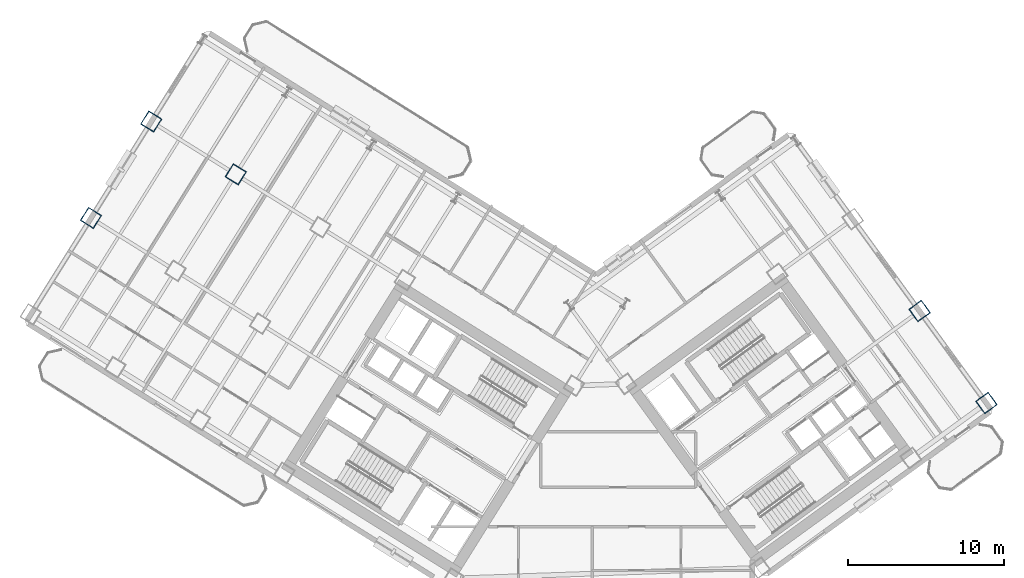
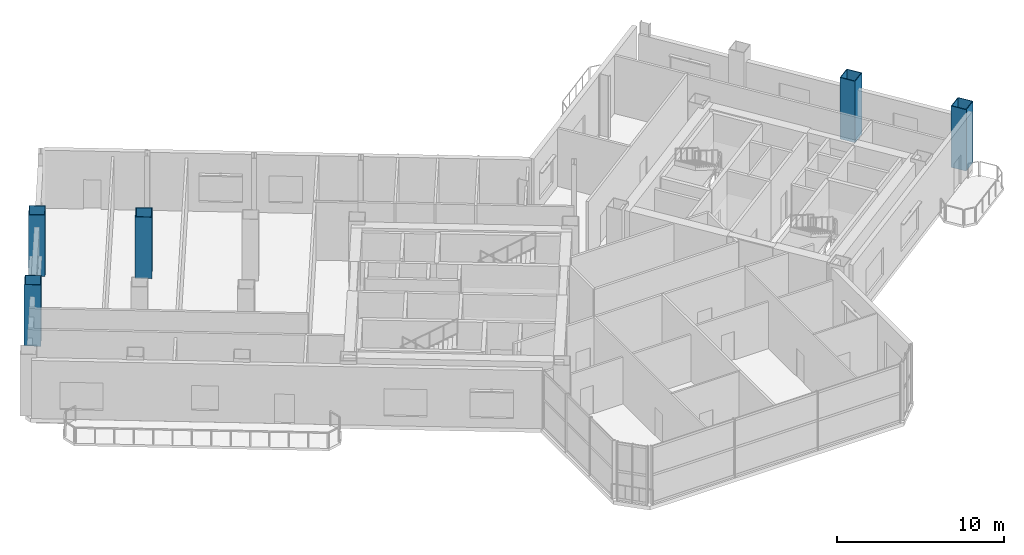
# One storey, part 2 of 19: 5 columns.
"""IFC4 building model written with IfcOpenShell, lengths in metres."""

from ifc_helpers import new_model, si_unit, direction, frame, origin, origin_2d, place, context, subcontext, project, spatial, hollow_rectangle, extrude, source, transform, mapped, material, material_profile, profile_set, type_object, element, save


model = new_model("IFC4")

# Units and contexts
model_context = context("Model", 3, precision=1e-05, world=origin(), true_north=direction((0.0, 1.0)))
body_context = subcontext(model_context, "Body", "Model", "MODEL_VIEW")
ifc_project = project(units=[si_unit("LENGTHUNIT", "METRE"), si_unit("AREAUNIT", "SQUARE_METRE"), si_unit("VOLUMEUNIT", "CUBIC_METRE"), si_unit("PLANEANGLEUNIT", "RADIAN"), si_unit("MASSUNIT", "GRAM", prefix="KILO")], contexts=[model_context])

# Site, building, storey
site_placement = place(None, origin())
site = spatial("IfcSite", under=ifc_project, at=site_placement, CompositionType="ELEMENT")
building_placement = place(site_placement, origin())
building = spatial("IfcBuilding", under=site, at=building_placement, Name="Tlacorven Tower", CompositionType="ELEMENT")
storey_placement = place(building_placement, frame((0.0, 0.0, 76.5)))
storey = spatial("IfcBuildingStorey", under=building, at=storey_placement, Name="L19", CompositionType="ELEMENT", Elevation=76.5)

# Columns
ifc_material = material(Name="Steel S460M", Category="steel")
ifc_material_profile = material_profile(ifc_material, hollow_rectangle(XDim=1.0, YDim=1.0, WallThickness=0.0400390625, at=origin_2d()), Name="BOX 1000X1000X40")
ifc_profile_set = profile_set([ifc_material_profile], Name="Steel S460M")
column_type = type_object("IfcColumnType", Name="COL-TWR-S1", PredefinedType="COLUMN", material=ifc_profile_set)
shared_shape = source(origin(), body_context, "Body", "SweptSolid", [
    extrude(hollow_rectangle(XDim=1.0, YDim=1.0, WallThickness=0.0400390625, at=origin_2d()), origin(), (0.0, 0.0, 1.0), 4.5),
])
for number, where, z_axis, x_axis, name in (
    (1, (19.072998046875, 38.034423828125, 0.0), (0.0, 0.0, 1.0), (-0.848048096156, 0.529919264233, 0.0), "L19 column COL-L19-W5-2"),
    (2, (13.6455078125, 41.42578125, 0.0), (0.0, 0.0, 1.0), (-0.848048096156, 0.529919264233, 0.0), "L19 column COL-L19-W6-2"),
    (3, (9.777099609375, 35.235107421875, 0.0), (0.0, 0.0, 1.0), (-0.848048096156, 0.529919264233, 0.0), "L19 column COL-L19-W6-3"),
    (4, (67.267822265625, 23.353515625, 0.0), (0.0, 0.0, 1.0), (0.809016994375, 0.587785252292, 0.0), "L19 column COL-L19-E4-1"),
    (5, (62.976806640625, 29.25927734375, 0.0), (0.0, 0.0, 1.0), (0.809016994375, 0.587785252292, 0.0), "L19 column COL-L19-E4-2"),
):
    element("IfcColumn", number, at=place(storey_placement, frame(where, z_axis=z_axis, x_axis=x_axis)), inside=storey, type_object=column_type, Name=name, PredefinedType="COLUMN", context=body_context, shape_type="MappedRepresentation", body=[
        mapped(shared_shape, transform((0.0, 0.0, 0.0), scale=1.0)),
    ])

save(model, "model.ifc")
